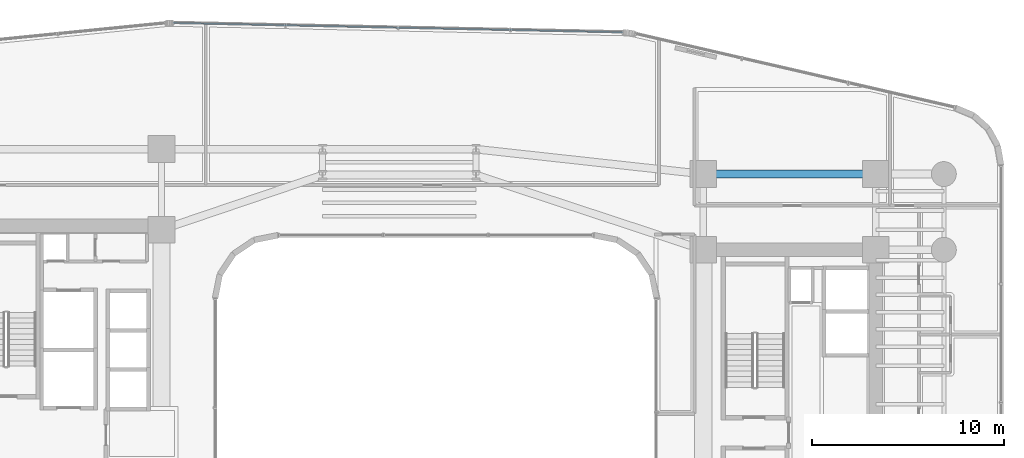
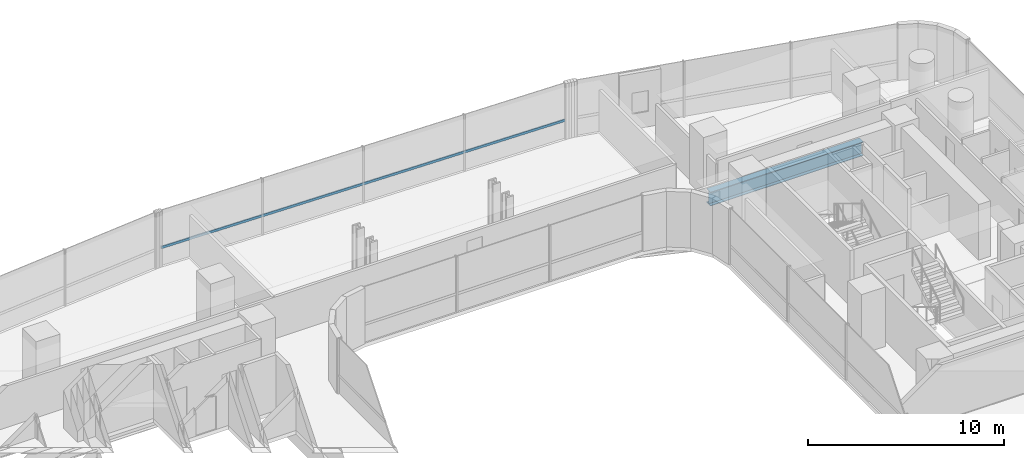
# One storey, part 22 of 39: 1 beam, 1 member, 1 element without a shape of its own.
"""IFC4 building model written with IfcOpenShell, lengths in metres."""

from ifc_helpers import new_model, si_unit, direction, frame, origin, origin_2d, place, context, subcontext, project, spatial, hollow_rectangle, i_section, extrude, source, transform, mapped, material, material_profile, profile_set, type_object, element, aggregate, save


model = new_model("IFC4")

# Units and contexts
model_context = context("Model", 3, precision=1e-05, world=origin(), true_north=direction((0.0, 1.0)))
body_context = subcontext(model_context, "Body", "Model", "MODEL_VIEW")
ifc_project = project(units=[si_unit("LENGTHUNIT", "METRE"), si_unit("AREAUNIT", "SQUARE_METRE"), si_unit("VOLUMEUNIT", "CUBIC_METRE"), si_unit("PLANEANGLEUNIT", "RADIAN"), si_unit("MASSUNIT", "GRAM", prefix="KILO")], contexts=[model_context])

# Site, building, storey
site_placement = place(None, origin())
site = spatial("IfcSite", under=ifc_project, at=site_placement, CompositionType="ELEMENT")
building_placement = place(site_placement, origin())
building = spatial("IfcBuilding", under=site, at=building_placement, Name="Valdorenza Pilgrim Sanctuary Tower", CompositionType="ELEMENT")
storey_placement = place(building_placement, frame((0.0, 0.0, 74.10009765625)))
storey = spatial("IfcBuildingStorey", under=building, at=storey_placement, Name="L18", CompositionType="ELEMENT", Elevation=74.10009765625)

# Beam
ifc_material_1 = material(Name="Steel ASTM A992 Grade 50", Category="steel")
ifc_material_profile_1 = material_profile(ifc_material_1, i_section(OverallWidth=0.39990234375, OverallDepth=0.862060546875, WebThickness=0.019775390625, FlangeThickness=0.032470703125, at=origin_2d()), Name="W33X221")
ifc_profile_set_1 = profile_set([ifc_material_profile_1], Name="Steel ASTM A992 Grade 50")
beam_type = type_object("IfcBeamType", Name="STR-BM-GRD-W33", PredefinedType="BEAM", material=ifc_profile_set_1)
shared_shape_1 = source(origin(), body_context, "Body", "SweptSolid", [
    extrude(i_section(OverallWidth=0.39990234375, OverallDepth=0.862060546875, WebThickness=0.019775390625, FlangeThickness=0.032470703125, at=origin_2d()), origin(), (0.0, 0.0, 1.0), 9.0),
])
beam_placement = place(storey_placement, frame((15.85009765625, 13.5, -0.671142578125), z_axis=(1.0, 0.0, 0.0), x_axis=(0.0, 1.0, 0.0)))
element("IfcBeam", 1, at=beam_placement, inside=storey, type_object=beam_type, Name="L18 Floor Girder CB-XC-N2", PredefinedType="BEAM", context=body_context, shape_type="MappedRepresentation", body=[
    mapped(shared_shape_1, transform((0.0, 0.0, 0.0), x_axis=(1.0, 0.0, 0.0), y_axis=(0.0, 1.0, 0.0), z_axis=(0.0, 0.0, 1.0), scale=1.0)),
])

# Curtain wall, member
ifc_material_2 = material(Name="Curtain-wall IGU glazing", Category="glass")
curtain_wall_type = type_object("IfcCurtainWallType", Name="CW-SYS-02", PredefinedType="NOTDEFINED", material=ifc_material_2)
curtain_wall_placement = place(storey_placement, origin())
curtain_wall = element("IfcCurtainWall", 2, at=curtain_wall_placement, inside=storey, type_object=curtain_wall_type, Name="L18 Curtain Wall CW-L18-1-11", PredefinedType="NOTDEFINED")
ifc_material_3 = material(Name="Anodised aluminium AW-6060", Category="aluminium")
ifc_material_profile_2 = material_profile(ifc_material_3, hollow_rectangle(XDim=0.074951171875, YDim=0.14990234375, WallThickness=0.00390625, at=origin_2d()), Name="ALU-T 150x75x4")
ifc_profile_set_2 = profile_set([ifc_material_profile_2], Name="Anodised aluminium AW-6060")
member_type = type_object("IfcMemberType", Name="CW-TRN-02", PredefinedType="USERDEFINED", material=ifc_profile_set_2)
shared_shape_2 = source(origin(), body_context, "Body", "SweptSolid", [
    extrude(hollow_rectangle(XDim=0.074951171875, YDim=0.14990234375, WallThickness=0.00390625, at=origin_2d()), origin(), (0.0, 0.0, 1.0), 23.479248046875),
])
member_placement = place(storey_placement, frame((-11.808349609375, 21.385986328125, 1.119873046875), z_axis=(0.999783083794, -0.020827514476, 0.0), x_axis=(0.020827514476, 0.999783083794, 0.0)))
member = element("IfcMember", 3, at=member_placement, type_object=member_type, Name="CW-L18-1-11 Transom 1", ObjectType="TRANSOM", PredefinedType="USERDEFINED", context=body_context, shape_type="MappedRepresentation", body=[
    mapped(shared_shape_2, transform((0.0, 0.0, 0.0), x_axis=(1.0, 0.0, 0.0), y_axis=(0.0, 1.0, 0.0), z_axis=(0.0, 0.0, 1.0), scale=1.0)),
])
aggregate(curtain_wall, [member])

save(model, "model.ifc")
